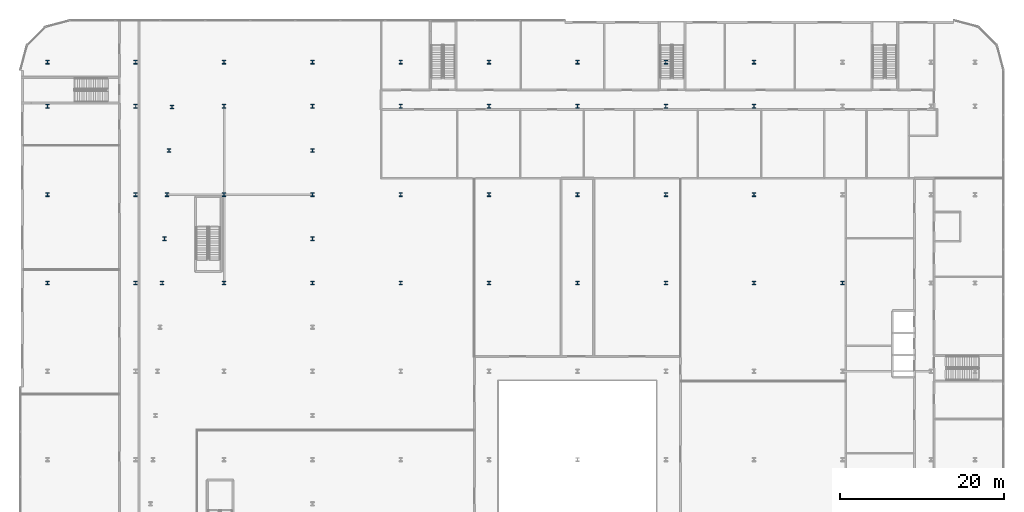
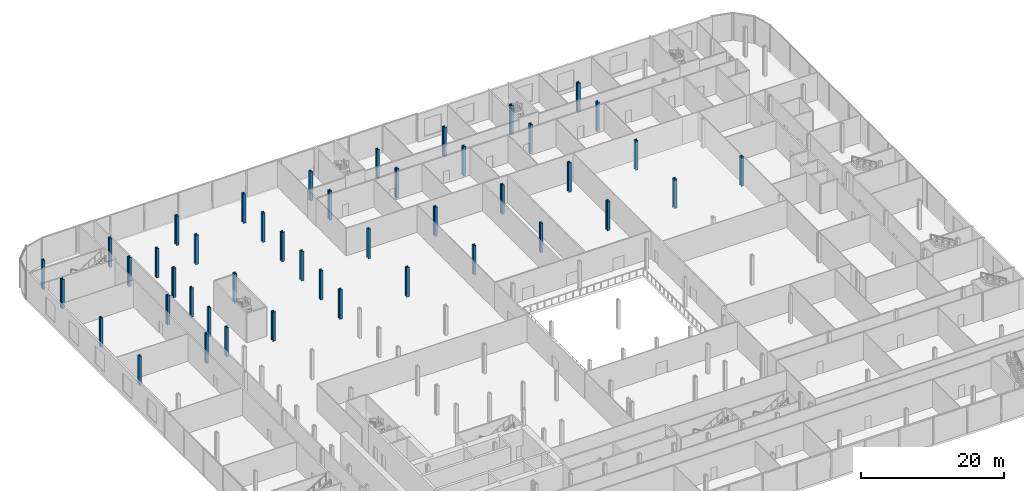
# One storey, part 3 of 47: 44 columns.
"""IFC4 building model written with IfcOpenShell, lengths in metres."""

from ifc_helpers import new_model, si_unit, direction, frame, origin, origin_2d, place, context, subcontext, project, spatial, i_section, extrude, material, material_profile, profile_set, type_object, element, save


model = new_model("IFC4")

# Units and contexts
model_context = context("Model", 3, precision=1e-05, world=origin(), true_north=direction((0.0, 1.0)))
body_context = subcontext(model_context, "Body", "Model", "MODEL_VIEW")
ifc_project = project(units=[si_unit("LENGTHUNIT", "METRE"), si_unit("AREAUNIT", "SQUARE_METRE"), si_unit("VOLUMEUNIT", "CUBIC_METRE"), si_unit("PLANEANGLEUNIT", "RADIAN"), si_unit("MASSUNIT", "GRAM", prefix="KILO")], contexts=[model_context])

# Site, building, storey
site_placement = place(None, origin())
site = spatial("IfcSite", under=ifc_project, at=site_placement, CompositionType="ELEMENT")
building_placement = place(site_placement, origin())
building = spatial("IfcBuilding", under=site, at=building_placement, Name="Kheshtan School and Residences Tower", CompositionType="ELEMENT")
storey_placement = place(building_placement, frame((0.0, 0.0, 7.5)))
storey = spatial("IfcBuildingStorey", under=building, at=storey_placement, Name="L01", CompositionType="ELEMENT", Elevation=7.5)

# Columns
ifc_material = material(Name="Steel ASTM A992 Grade 50", Category="steel")
ifc_material_profile = material_profile(ifc_material, i_section(OverallWidth=0.424072265625, OverallDepth=0.47412109375, WebThickness=0.047607421875, FlangeThickness=0.0771484375, FilletRadius=0.01416015625, at=origin_2d()), Name="W360x634")
ifc_profile_set = profile_set([ifc_material_profile], Name="Steel ASTM A992 Grade 50")
column_type = type_object("IfcColumnType", Name="Column PC1 W360x634 ASTM A992 Grade 50", PredefinedType="COLUMN", material=ifc_profile_set)
for number, where, z_axis, x_axis, name in (
    (1, (15.199951171875, 78.0, 0.0), (0.0, 0.0, 1.0), (1.0, 0.0, 0.0), "Column P-073"),
    (2, (26.0, 78.0, 0.0), (0.0, 0.0, 1.0), (1.0, 0.0, 0.0), "Column P-074"),
    (3, (36.800048828125, 78.0, 0.0), (0.0, 0.0, 1.0), (1.0, 0.0, 0.0), "Column P-075"),
    (4, (47.60009765625, 78.0, 0.0), (0.0, 0.0, 1.0), (1.0, 0.0, 0.0), "Column P-076"),
    (5, (58.39990234375, 78.0, 0.0), (0.0, 0.0, 1.0), (1.0, 0.0, 0.0), "Column P-077"),
    (6, (69.199951171875, 78.0, 0.0), (0.0, 0.0, 1.0), (1.0, 0.0, 0.0), "Column P-078"),
    (7, (80.0, 78.0, 0.0), (0.0, 0.0, 1.0), (1.0, 0.0, 0.0), "Column P-079"),
    (8, (90.800048828125, 78.0, 0.0), (0.0, 0.0, 1.0), (1.0, 0.0, 0.0), "Column P-080"),
    (9, (101.60009765625, 78.0, 0.0), (0.0, 0.0, 1.0), (1.0, 0.0, 0.0), "Column P-081"),
    (10, (112.39990234375, 78.0, 0.0), (0.0, 0.0, 1.0), (1.0, 0.0, 0.0), "Column P-082"),
    (11, (15.199951171875, 88.800048828125, 0.0), (0.0, 0.0, 1.0), (1.0, 0.0, 0.0), "Column P-085"),
    (12, (26.0, 88.800048828125, 0.0), (0.0, 0.0, 1.0), (1.0, 0.0, 0.0), "Column P-086"),
    (13, (36.800048828125, 88.800048828125, 0.0), (0.0, 0.0, 1.0), (1.0, 0.0, 0.0), "Column P-087"),
    (14, (47.60009765625, 88.800048828125, 0.0), (0.0, 0.0, 1.0), (1.0, 0.0, 0.0), "Column P-088"),
    (15, (58.39990234375, 88.800048828125, 0.0), (0.0, 0.0, 1.0), (1.0, 0.0, 0.0), "Column P-089"),
    (16, (69.199951171875, 88.800048828125, 0.0), (0.0, 0.0, 1.0), (1.0, 0.0, 0.0), "Column P-090"),
    (17, (80.0, 88.800048828125, 0.0), (0.0, 0.0, 1.0), (1.0, 0.0, 0.0), "Column P-091"),
    (18, (90.800048828125, 88.800048828125, 0.0), (0.0, 0.0, 1.0), (1.0, 0.0, 0.0), "Column P-092"),
    (19, (101.60009765625, 88.800048828125, 0.0), (0.0, 0.0, 1.0), (1.0, 0.0, 0.0), "Column P-093"),
    (20, (15.199951171875, 99.60009765625, 0.0), (0.0, 0.0, 1.0), (1.0, 0.0, 0.0), "Column P-097"),
    (21, (26.0, 99.60009765625, 0.0), (0.0, 0.0, 1.0), (1.0, 0.0, 0.0), "Column P-098"),
    (22, (36.800048828125, 99.60009765625, 0.0), (0.0, 0.0, 1.0), (1.0, 0.0, 0.0), "Column P-099"),
    (23, (47.60009765625, 99.60009765625, 0.0), (0.0, 0.0, 1.0), (1.0, 0.0, 0.0), "Column P-100"),
    (24, (58.39990234375, 99.60009765625, 0.0), (0.0, 0.0, 1.0), (1.0, 0.0, 0.0), "Column P-101"),
    (25, (69.199951171875, 99.60009765625, 0.0), (0.0, 0.0, 1.0), (1.0, 0.0, 0.0), "Column P-102"),
    (26, (80.0, 99.60009765625, 0.0), (0.0, 0.0, 1.0), (1.0, 0.0, 0.0), "Column P-103"),
    (27, (90.800048828125, 99.60009765625, 0.0), (0.0, 0.0, 1.0), (1.0, 0.0, 0.0), "Column P-104"),
    (28, (101.60009765625, 99.60009765625, 0.0), (0.0, 0.0, 1.0), (1.0, 0.0, 0.0), "Column P-105"),
    (29, (15.199951171875, 105.0, 0.0), (0.0, 0.0, 1.0), (1.0, 0.0, 0.0), "Column P-109"),
    (30, (26.0, 105.0, 0.0), (0.0, 0.0, 1.0), (1.0, 0.0, 0.0), "Column P-110"),
    (31, (36.800048828125, 105.0, 0.0), (0.0, 0.0, 1.0), (1.0, 0.0, 0.0), "Column P-111"),
    (32, (47.60009765625, 105.0, 0.0), (0.0, 0.0, 1.0), (1.0, 0.0, 0.0), "Column P-112"),
    (33, (58.39990234375, 105.0, 0.0), (0.0, 0.0, 1.0), (1.0, 0.0, 0.0), "Column P-113"),
    (34, (69.199951171875, 105.0, 0.0), (0.0, 0.0, 1.0), (1.0, 0.0, 0.0), "Column P-114"),
    (35, (80.0, 105.0, 0.0), (0.0, 0.0, 1.0), (1.0, 0.0, 0.0), "Column P-115"),
    (36, (90.800048828125, 105.0, 0.0), (0.0, 0.0, 1.0), (1.0, 0.0, 0.0), "Column P-116"),
    (37, (101.60009765625, 105.0, 0.0), (0.0, 0.0, 1.0), (1.0, 0.0, 0.0), "Column P-117"),
    (38, (29.239990234375, 78.0, 0.0), (0.0, 0.0, 1.0), (1.0, 0.0, 0.0), "Transfer column X28"),
    (39, (29.530029296875, 83.39990234375, 0.0), (0.0, 0.0, 1.0), (1.0, 0.0, 0.0), "Transfer column X29"),
    (40, (47.60009765625, 83.39990234375, 0.0), (0.0, 0.0, 1.0), (1.0, 0.0, 0.0), "Transfer column X30"),
    (41, (29.81005859375, 88.800048828125, 0.0), (0.0, 0.0, 1.0), (1.0, 0.0, 0.0), "Transfer column X31"),
    (42, (30.090087890625, 94.199951171875, 0.0), (0.0, 0.0, 1.0), (1.0, 0.0, 0.0), "Transfer column X32"),
    (43, (47.60009765625, 94.199951171875, 0.0), (0.0, 0.0, 1.0), (1.0, 0.0, 0.0), "Transfer column X33"),
    (44, (30.419921875, 99.510009765625, 0.0), (0.0, 0.0, 1.0), (1.0, 0.0, 0.0), "Transfer column X34"),
):
    element("IfcColumn", number, at=place(storey_placement, frame(where, z_axis=z_axis, x_axis=x_axis)), inside=storey, type_object=column_type, Name=name, PredefinedType="COLUMN", context=body_context, shape_type="SweptSolid", body=[
        extrude(i_section(OverallWidth=0.424072265625, OverallDepth=0.47412109375, WebThickness=0.047607421875, FlangeThickness=0.0771484375, FilletRadius=0.01416015625, at=origin_2d()), origin(), (0.0, 0.0, 1.0), 5.0),
    ])

save(model, "model.ifc")
